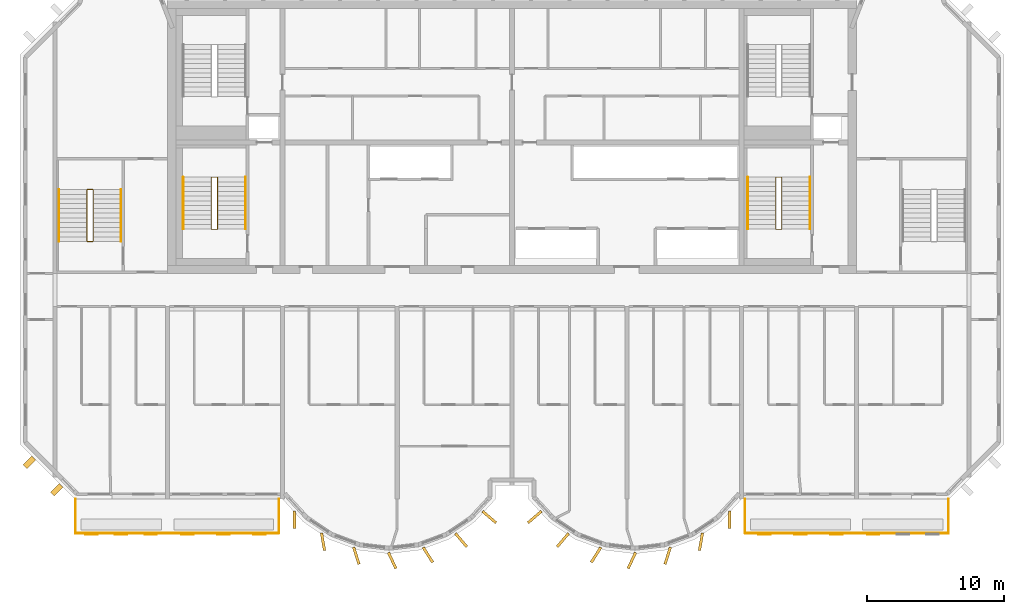
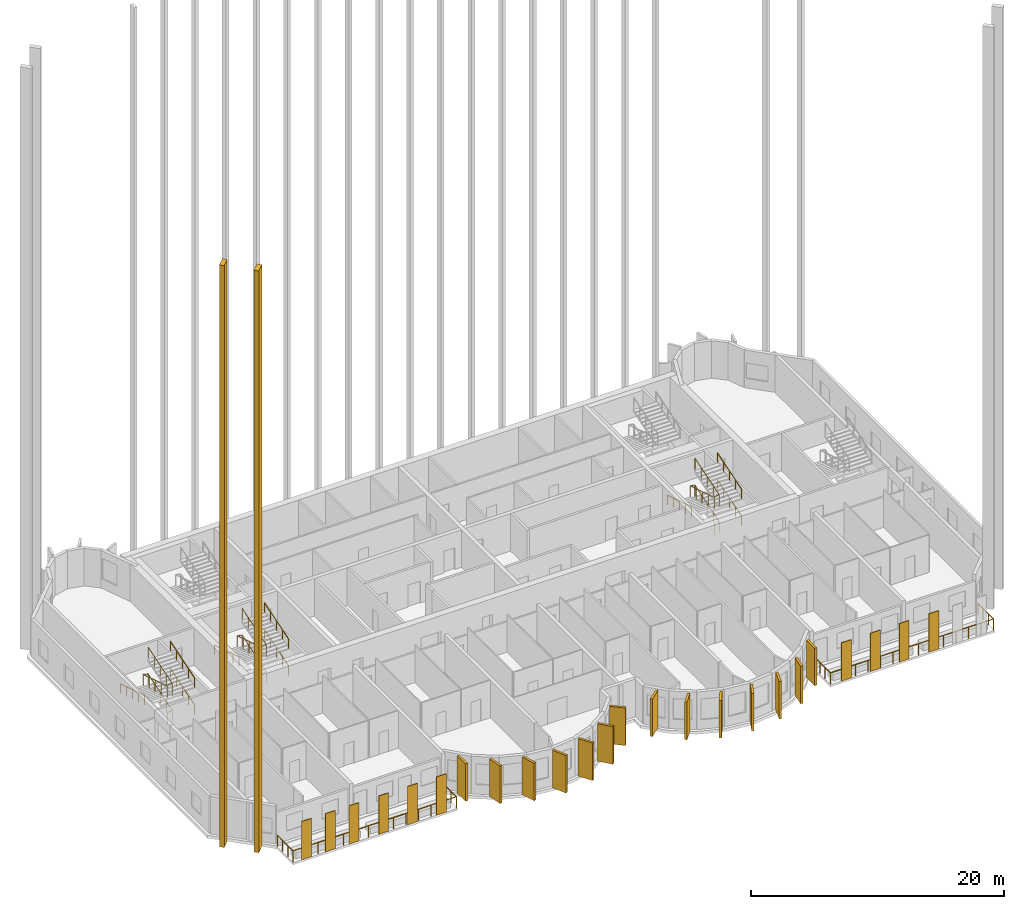
# One storey, part 10 of 13: 26 coverings, 14 railings.
"""IFC4 building model written with IfcOpenShell, lengths in metres."""

from ifc_helpers import new_model, si_unit, direction, frame, origin, origin_2d, place, context, subcontext, project, spatial, rectangle, circle, extrude, source, transform, mapped, material, layer, layer_set, material_profile, profile_set, type_object, element, save


model = new_model("IFC4")

# Units and contexts
model_context = context("Model", 3, precision=1e-05, world=origin(), true_north=direction((0.0, 1.0)))
body_context = subcontext(model_context, "Body", "Model", "MODEL_VIEW")
ifc_project = project(units=[si_unit("LENGTHUNIT", "METRE"), si_unit("AREAUNIT", "SQUARE_METRE"), si_unit("VOLUMEUNIT", "CUBIC_METRE"), si_unit("PLANEANGLEUNIT", "RADIAN"), si_unit("MASSUNIT", "GRAM", prefix="KILO")], contexts=[model_context])

# Site, building, storey
site_placement = place(None, origin())
site = spatial("IfcSite", under=ifc_project, at=site_placement, CompositionType="ELEMENT")
building_placement = place(site_placement, origin())
building = spatial("IfcBuilding", under=site, at=building_placement, Name="Vanashikhar Sky Hotel", CompositionType="ELEMENT")
storey_placement = place(building_placement, frame((0.0, 0.0, 214.0)))
storey = spatial("IfcBuildingStorey", under=building, at=storey_placement, Name="L51", CompositionType="ELEMENT", Elevation=214.0)

# Railings
ifc_material_1 = material(Name="Stainless steel 316", Category="steel")
railing_type_1 = type_object("IfcRailingType", Name="Balcony guard 1100", PredefinedType="GUARDRAIL", material=ifc_material_1)
shared_shape_1 = source(origin(), body_context, "Body", "SweptSolid", [
    extrude(circle(Radius=0.02392578125, at=origin_2d()), frame((0.0, 0.0, 1.076171875), z_axis=(0.0, -1.0, 0.0), x_axis=(1.0, 0.0, 0.0)), (0.0, 0.0, 1.0), 2.5),
    extrude(circle(Radius=0.02392578125, at=origin_2d()), frame((0.0, -2.5, 1.076171875), z_axis=(1.0, 0.0, 0.0), x_axis=(0.0, 1.0, 0.0)), (0.0, 0.0, 1.0), 14.880126953125),
    extrude(circle(Radius=0.02392578125, at=origin_2d()), frame((14.880126953125, -2.5, 1.076171875), z_axis=(0.0, 1.0, 0.0), x_axis=(-1.0, 0.0, 0.0)), (0.0, 0.0, 1.0), 2.5),
    extrude(circle(Radius=0.02099609375, at=origin_2d()), origin(), (0.0, 0.0, 1.0), 1.052001953125),
    extrude(circle(Radius=0.02099609375, at=origin_2d()), frame((0.0, -0.833251953125, 0.0)), (0.0, 0.0, 1.0), 1.052001953125),
    extrude(circle(Radius=0.02099609375, at=origin_2d()), frame((0.0, -1.666748046875, 0.0)), (0.0, 0.0, 1.0), 1.052001953125),
    extrude(circle(Radius=0.02099609375, at=origin_2d()), frame((0.0, -2.5, 0.0)), (0.0, 0.0, 1.0), 1.052001953125),
    extrude(circle(Radius=0.02099609375, at=origin_2d()), frame((1.14453125, -2.5, 0.0)), (0.0, 0.0, 1.0), 1.052001953125),
    extrude(circle(Radius=0.02099609375, at=origin_2d()), frame((2.289306640625, -2.5, 0.0)), (0.0, 0.0, 1.0), 1.052001953125),
    extrude(circle(Radius=0.02099609375, at=origin_2d()), frame((3.433837890625, -2.5, 0.0)), (0.0, 0.0, 1.0), 1.052001953125),
    extrude(circle(Radius=0.02099609375, at=origin_2d()), frame((4.57861328125, -2.5, 0.0)), (0.0, 0.0, 1.0), 1.052001953125),
    extrude(circle(Radius=0.02099609375, at=origin_2d()), frame((5.72314453125, -2.5, 0.0)), (0.0, 0.0, 1.0), 1.052001953125),
    extrude(circle(Radius=0.02099609375, at=origin_2d()), frame((6.86767578125, -2.5, 0.0)), (0.0, 0.0, 1.0), 1.052001953125),
    extrude(circle(Radius=0.02099609375, at=origin_2d()), frame((8.012451171875, -2.5, 0.0)), (0.0, 0.0, 1.0), 1.052001953125),
    extrude(circle(Radius=0.02099609375, at=origin_2d()), frame((9.156982421875, -2.5, 0.0)), (0.0, 0.0, 1.0), 1.052001953125),
    extrude(circle(Radius=0.02099609375, at=origin_2d()), frame((10.301513671875, -2.5, 0.0)), (0.0, 0.0, 1.0), 1.052001953125),
    extrude(circle(Radius=0.02099609375, at=origin_2d()), frame((11.4462890625, -2.5, 0.0)), (0.0, 0.0, 1.0), 1.052001953125),
    extrude(circle(Radius=0.02099609375, at=origin_2d()), frame((12.5908203125, -2.5, 0.0)), (0.0, 0.0, 1.0), 1.052001953125),
    extrude(circle(Radius=0.02099609375, at=origin_2d()), frame((13.735595703125, -2.5, 0.0)), (0.0, 0.0, 1.0), 1.052001953125),
    extrude(circle(Radius=0.02099609375, at=origin_2d()), frame((14.880126953125, -2.5, 0.0)), (0.0, 0.0, 1.0), 1.052001953125),
    extrude(circle(Radius=0.02099609375, at=origin_2d()), frame((14.880126953125, -1.666748046875, 0.0)), (0.0, 0.0, 1.0), 1.052001953125),
    extrude(circle(Radius=0.02099609375, at=origin_2d()), frame((14.880126953125, -0.833251953125, 0.0)), (0.0, 0.0, 1.0), 1.052001953125),
    extrude(circle(Radius=0.02099609375, at=origin_2d()), frame((14.880126953125, 0.0, 0.0)), (0.0, 0.0, 1.0), 1.052001953125),
])
for number, where, name in (
    (1, (18.4599609375, 5.5, -0.050048828125), "Balcony guard"),
    (2, (67.4599609375, 5.5, -0.050048828125), "Balcony guard"),
):
    element("IfcRailing", number, at=place(storey_placement, frame(where)), inside=storey, type_object=railing_type_1, Name=name, PredefinedType="GUARDRAIL", context=body_context, shape_type="MappedRepresentation", body=[
        mapped(shared_shape_1, transform((0.0, 0.0, 0.0), scale=1.0)),
    ])

# Coverings
ifc_material_2 = material(Name="Terracotta", Category="masonry")
ifc_layer = layer(ifc_material_2, 0.06005859375)
ifc_layer_set = layer_set([ifc_layer], Name="Terracotta baguette screen")
covering_type_1 = type_object("IfcCoveringType", Name="Terracotta baguette screen", PredefinedType="CLADDING", material=ifc_layer_set)
shared_shape_2 = source(origin(), body_context, "Body", "SweptSolid", [
    extrude(rectangle(XDim=0.89990234375, YDim=0.06005859375, at=origin_2d()), origin(), (0.0, 0.0, 1.0), 3.699951171875),
])
for number, where, z_axis, x_axis, name in (
    (3, (19.63330078125, 2.929931640625, -0.0498046875), (0.0, 0.0, 1.0), (1.0, 0.0, 0.0), "Terracotta screen"),
    (4, (21.800048828125, 2.929931640625, -0.0498046875), (0.0, 0.0, 1.0), (1.0, 0.0, 0.0), "Terracotta screen"),
    (5, (23.966796875, 2.929931640625, -0.0498046875), (0.0, 0.0, 1.0), (1.0, 0.0, 0.0), "Terracotta screen"),
    (6, (26.666748046875, 2.929931640625, -0.0498046875), (0.0, 0.0, 1.0), (1.0, 0.0, 0.0), "Terracotta screen"),
    (7, (29.300048828125, 2.929931640625, -0.0498046875), (0.0, 0.0, 1.0), (1.0, 0.0, 0.0), "Terracotta screen"),
    (8, (31.933349609375, 2.929931640625, -0.0498046875), (0.0, 0.0, 1.0), (1.0, 0.0, 0.0), "Terracotta screen"),
    (9, (68.86669921875, 2.929931640625, -0.0498046875), (0.0, 0.0, 1.0), (1.0, 0.0, 0.0), "Terracotta screen"),
    (10, (71.5, 2.929931640625, -0.0498046875), (0.0, 0.0, 1.0), (1.0, 0.0, 0.0), "Terracotta screen"),
    (11, (74.13330078125, 2.929931640625, -0.0498046875), (0.0, 0.0, 1.0), (1.0, 0.0, 0.0), "Terracotta screen"),
    (12, (76.833251953125, 2.929931640625, -0.0498046875), (0.0, 0.0, 1.0), (1.0, 0.0, 0.0), "Terracotta screen"),
):
    element("IfcCovering", number, at=place(storey_placement, frame(where, z_axis=z_axis, x_axis=x_axis)), inside=storey, type_object=covering_type_1, Name=name, PredefinedType="CLADDING", context=body_context, shape_type="MappedRepresentation", body=[
        mapped(shared_shape_2, transform((0.0, 0.0, 0.0), scale=1.0)),
    ])
ifc_material_3 = material(Name="Concrete M60 dark", Category="concrete")
ifc_material_profile_1 = material_profile(ifc_material_3, rectangle(XDim=1.300048828125, YDim=0.199951171875, at=origin_2d()))
ifc_profile_set_1 = profile_set([ifc_material_profile_1], Name="Fin 1300 x 200")
covering_type_2 = type_object("IfcCoveringType", Name="Fin 1300 x 200", PredefinedType="CLADDING", material=ifc_profile_set_1)
shared_shape_3 = source(origin(), body_context, "Body", "SweptSolid", [
    extrude(rectangle(XDim=1.300048828125, YDim=0.199951171875, at=origin_2d()), origin(), (0.0, 0.0, 1.0), 3.6201171875),
])
for number, where, z_axis, x_axis, name in (
    (13, (34.482421875, 3.992919921875, 0.0), (0.0, 0.0, 1.0), (0.011588726826, -0.999932848451, 0.0), "Fin F1-1"),
    (14, (36.572509765625, 2.3779296875, 0.0), (0.0, 0.0, 1.0), (0.16989991575, -0.985461322746, 0.0), "Fin F1-2"),
    (15, (39.00830078125, 1.35693359375, 0.0), (0.0, 0.0, 1.0), (0.303966551867, -0.952682704444, 0.0), "Fin F1-3"),
    (16, (41.63232421875, 1.00146484375, 0.0), (0.0, 0.0, 1.0), (0.422618261741, -0.906307787037, 0.0), "Fin F1-4"),
    (17, (44.251953125, 1.416015625, 0.0), (0.0, 0.0, 1.0), (0.534411358496, -0.845224526331, 0.0), "Fin F1-5"),
    (18, (46.676025390625, 2.5, 0.0), (0.0, 0.0, 1.0), (0.645697609467, -0.763593214433, 0.0), "Fin F1-6"),
    (19, (48.7412109375, 4.1845703125, 0.0), (0.0, 0.0, 1.0), (0.758543912032, -0.65162192529, 0.0), "Fin F1-7"),
    (20, (52.058837890625, 4.1845703125, 0.0), (0.0, 0.0, 1.0), (-0.758543912032, -0.65162192529, 0.0), "Fin F2-1"),
    (21, (54.123779296875, 2.5, 0.0), (0.0, 0.0, 1.0), (-0.645697609467, -0.763593214433, 0.0), "Fin F2-2"),
    (22, (56.547119140625, 1.416015625, 0.0), (0.0, 0.0, 1.0), (-0.534411358496, -0.845224526331, 0.0), "Fin F2-3"),
    (23, (59.16748046875, 1.00146484375, 0.0), (0.0, 0.0, 1.0), (-0.422618261741, -0.906307787037, 0.0), "Fin F2-4"),
    (24, (61.790771484375, 1.35693359375, 0.0), (0.0, 0.0, 1.0), (-0.303966551867, -0.952682704444, 0.0), "Fin F2-5"),
    (25, (64.2275390625, 2.3779296875, 0.0), (0.0, 0.0, 1.0), (-0.16989991575, -0.985461322746, 0.0), "Fin F2-6"),
    (26, (66.317626953125, 3.992919921875, 0.0), (0.0, 0.0, 1.0), (-0.011588726826, -0.999932848451, 0.0), "Fin F2-7"),
):
    element("IfcCovering", number, at=place(storey_placement, frame(where, z_axis=z_axis, x_axis=x_axis)), inside=storey, type_object=covering_type_2, Name=name, PredefinedType="CLADDING", context=body_context, shape_type="MappedRepresentation", body=[
        mapped(shared_shape_3, transform((0.0, 0.0, 0.0), scale=1.0)),
    ])
ifc_material_profile_2 = material_profile(ifc_material_3, rectangle(XDim=0.89990234375, YDim=0.39990234375, at=origin_2d()))
ifc_profile_set_2 = profile_set([ifc_material_profile_2], Name="Chamfer fin 900 x 400")
covering_type_3 = type_object("IfcCoveringType", Name="Chamfer fin 900 x 400", PredefinedType="CLADDING", material=ifc_profile_set_2)
shared_shape_4 = source(origin(), body_context, "Body", "SweptSolid", [
    extrude(rectangle(XDim=0.89990234375, YDim=0.39990234375, at=origin_2d()), origin(), (0.0, 0.0, 1.0), 56.10009765625),
])
for number, where, z_axis, x_axis, name in (
    (27, (15.081787109375, 8.181884765625, -0.280029296875), (0.0, 0.0, 1.0), (-0.707106781187, -0.707106781187, 0.0), "Chamfer fin"),
    (28, (17.081787109375, 6.181884765625, -0.280029296875), (0.0, 0.0, 1.0), (-0.707106781187, -0.707106781187, 0.0), "Chamfer fin"),
):
    element("IfcCovering", number, at=place(storey_placement, frame(where, z_axis=z_axis, x_axis=x_axis)), inside=storey, type_object=covering_type_3, Name=name, PredefinedType="CLADDING", context=body_context, shape_type="MappedRepresentation", body=[
        mapped(shared_shape_4, transform((0.0, 0.0, 0.0), scale=1.0)),
    ])

# Railings
ifc_material_4 = material(Name="Steel S355", Category="steel")
railing_type_2 = type_object("IfcRailingType", Name="Stair guard 1100", PredefinedType="GUARDRAIL", material=ifc_material_4)
shared_shape_5 = source(origin(), body_context, "Body", "SweptSolid", [
    extrude(circle(Radius=0.02392578125, at=origin_2d()), frame((0.0, 0.0, 1.076171875), z_axis=(0.972214749574, 0.0, 0.234090753151), x_axis=(0.0, 1.0, 0.0)), (0.0, 0.0, 1.0), 0.463134765625),
    extrude(circle(Radius=0.02392578125, at=origin_2d()), frame((0.4501953125, 0.0, 1.1845703125), z_axis=(0.0, 0.95418390146, 0.299220791714), x_axis=(-1.0, 0.0, 0.0)), (0.0, 0.0, 1.0), 3.982421875),
    extrude(circle(Radius=0.02392578125, at=origin_2d()), frame((0.4501953125, 3.800048828125, 2.3759765625), z_axis=(-0.972214749574, 0.0, 0.234090753151), x_axis=(0.0, -1.0, 0.0)), (0.0, 0.0, 1.0), 0.463134765625),
    extrude(circle(Radius=0.02392578125, at=origin_2d()), frame((0.0, 3.800048828125, 2.484375), z_axis=(0.0, -0.95418390146, 0.299220791714), x_axis=(1.0, 0.0, 0.0)), (0.0, 0.0, 1.0), 3.982421875),
    extrude(circle(Radius=0.02392578125, at=origin_2d()), frame((0.0, 0.0, 3.67626953125), z_axis=(0.972334627364, 0.0, 0.233592320999), x_axis=(0.0, 1.0, 0.0)), (0.0, 0.0, 1.0), 0.462890625),
    extrude(circle(Radius=0.02392578125, at=origin_2d()), frame((0.4501953125, 0.0, 3.7841796875), z_axis=(0.0, 0.95418390146, 0.299220791714), x_axis=(-1.0, 0.0, 0.0)), (0.0, 0.0, 1.0), 3.982421875),
    extrude(circle(Radius=0.02099609375, at=origin_2d()), origin(), (0.0, 0.0, 1.0), 1.052001953125),
    extrude(circle(Radius=0.02099609375, at=origin_2d()), frame((0.4501953125, 0.0, 0.1083984375)), (0.0, 0.0, 1.0), 1.052001953125),
    extrude(circle(Radius=0.02099609375, at=origin_2d()), frame((0.4501953125, 0.949951171875, 0.40625)), (0.0, 0.0, 1.0), 1.052001953125),
    extrude(circle(Radius=0.02099609375, at=origin_2d()), frame((0.4501953125, 1.89990234375, 0.7041015625)), (0.0, 0.0, 1.0), 1.052001953125),
    extrude(circle(Radius=0.02099609375, at=origin_2d()), frame((0.4501953125, 2.85009765625, 1.002197265625)), (0.0, 0.0, 1.0), 1.052001953125),
    extrude(circle(Radius=0.02099609375, at=origin_2d()), frame((0.4501953125, 3.800048828125, 1.300048828125)), (0.0, 0.0, 1.0), 1.052001953125),
    extrude(circle(Radius=0.02099609375, at=origin_2d()), frame((0.0, 3.800048828125, 1.408447265625)), (0.0, 0.0, 1.0), 1.052001953125),
    extrude(circle(Radius=0.02099609375, at=origin_2d()), frame((0.0, 2.85009765625, 1.706298828125)), (0.0, 0.0, 1.0), 1.052001953125),
    extrude(circle(Radius=0.02099609375, at=origin_2d()), frame((0.0, 1.89990234375, 2.00439453125)), (0.0, 0.0, 1.0), 1.052001953125),
    extrude(circle(Radius=0.02099609375, at=origin_2d()), frame((0.0, 0.949951171875, 2.30224609375)), (0.0, 0.0, 1.0), 1.052001953125),
    extrude(circle(Radius=0.02099609375, at=origin_2d()), frame((0.0, 0.0, 2.60009765625)), (0.0, 0.0, 1.0), 1.052001953125),
    extrude(circle(Radius=0.02099609375, at=origin_2d()), frame((0.4501953125, 0.0, 2.708251953125)), (0.0, 0.0, 1.0), 1.052001953125),
    extrude(circle(Radius=0.02099609375, at=origin_2d()), frame((0.4501953125, 0.949951171875, 3.006103515625)), (0.0, 0.0, 1.0), 1.052001953125),
    extrude(circle(Radius=0.02099609375, at=origin_2d()), frame((0.4501953125, 1.89990234375, 3.30419921875)), (0.0, 0.0, 1.0), 1.052001953125),
    extrude(circle(Radius=0.02099609375, at=origin_2d()), frame((0.4501953125, 2.85009765625, 3.60205078125)), (0.0, 0.0, 1.0), 1.052001953125),
    extrude(circle(Radius=0.02099609375, at=origin_2d()), frame((0.4501953125, 3.800048828125, 3.89990234375)), (0.0, 0.0, 1.0), 1.052001953125),
])
railing_1_placement = place(storey_placement, frame((28.39990234375, 25.25, 0.0)))
element("IfcRailing", 29, at=railing_1_placement, inside=storey, type_object=railing_type_2, Name="Exit stair 1 guard", PredefinedType="GUARDRAIL", context=body_context, shape_type="MappedRepresentation", body=[
    mapped(shared_shape_5, transform((0.0, 0.0, 0.0), scale=1.0)),
])
railing_type_3 = type_object("IfcRailingType", Name="Stair handrail 900", PredefinedType="HANDRAIL", material=ifc_material_4)
shared_shape_6 = source(origin(), body_context, "Body", "SweptSolid", [
    extrude(circle(Radius=0.02392578125, at=origin_2d()), frame((0.0, 0.0, 0.8759765625), z_axis=(0.0, 0.95418390146, 0.299220791714), x_axis=(-1.0, 0.0, 0.0)), (0.0, 0.0, 1.0), 3.982421875),
    extrude(circle(Radius=0.02099609375, at=origin_2d()), origin(), (0.0, 0.0, 1.0), 0.851806640625),
    extrude(circle(Radius=0.02099609375, at=origin_2d()), frame((0.0, 0.949951171875, 0.2978515625)), (0.0, 0.0, 1.0), 0.851806640625),
    extrude(circle(Radius=0.02099609375, at=origin_2d()), frame((0.0, 1.89990234375, 0.595703125)), (0.0, 0.0, 1.0), 0.851806640625),
    extrude(circle(Radius=0.02099609375, at=origin_2d()), frame((0.0, 2.85009765625, 0.893798828125)), (0.0, 0.0, 1.0), 0.851806640625),
    extrude(circle(Radius=0.02099609375, at=origin_2d()), frame((0.0, 3.800048828125, 1.191650390625)), (0.0, 0.0, 1.0), 0.851806640625),
])
for number, where, name in (
    (30, (30.89990234375, 25.25, 0.1083984375), "Exit stair 1 handrail"),
    (31, (30.89990234375, 25.25, 2.708251953125), "Exit stair 1 handrail"),
    (32, (72.199951171875, 25.25, 0.1083984375), "Exit stair 2 handrail"),
    (33, (72.199951171875, 25.25, 2.708251953125), "Exit stair 2 handrail"),
):
    element("IfcRailing", number, at=place(storey_placement, frame(where)), inside=storey, type_object=railing_type_3, Name=name, PredefinedType="HANDRAIL", context=body_context, shape_type="MappedRepresentation", body=[
        mapped(shared_shape_6, transform((0.0, 0.0, 0.0), scale=1.0)),
    ])
shared_shape_7 = source(origin(), body_context, "Body", "SweptSolid", [
    extrude(circle(Radius=0.02392578125, at=origin_2d()), frame((0.0, 0.0, 0.8759765625), z_axis=(0.0, -0.95418390146, 0.299220791714), x_axis=(1.0, 0.0, 0.0)), (0.0, 0.0, 1.0), 3.982421875),
    extrude(circle(Radius=0.02099609375, at=origin_2d()), origin(), (0.0, 0.0, 1.0), 0.851806640625),
    extrude(circle(Radius=0.02099609375, at=origin_2d()), frame((0.0, -0.949951171875, 0.2978515625)), (0.0, 0.0, 1.0), 0.851806640625),
    extrude(circle(Radius=0.02099609375, at=origin_2d()), frame((0.0, -1.89990234375, 0.595703125)), (0.0, 0.0, 1.0), 0.851806640625),
    extrude(circle(Radius=0.02099609375, at=origin_2d()), frame((0.0, -2.85009765625, 0.893798828125)), (0.0, 0.0, 1.0), 0.851806640625),
    extrude(circle(Radius=0.02099609375, at=origin_2d()), frame((0.0, -3.800048828125, 1.191650390625)), (0.0, 0.0, 1.0), 0.851806640625),
])
for number, where, name in (
    (34, (26.35009765625, 29.050048828125, 1.408447265625), "Exit stair 1 handrail"),
    (35, (67.64990234375, 29.050048828125, 1.408447265625), "Exit stair 2 handrail"),
):
    element("IfcRailing", number, at=place(storey_placement, frame(where)), inside=storey, type_object=railing_type_3, Name=name, PredefinedType="HANDRAIL", context=body_context, shape_type="MappedRepresentation", body=[
        mapped(shared_shape_7, transform((0.0, 0.0, 0.0), scale=1.0)),
    ])
shared_shape_8 = source(origin(), body_context, "Body", "SweptSolid", [
    extrude(circle(Radius=0.02392578125, at=origin_2d()), frame((0.0, 0.0, 1.076171875), z_axis=(0.972185835864, 0.0, 0.234210803648), x_axis=(0.0, 1.0, 0.0)), (0.0, 0.0, 1.0), 0.462890625),
    extrude(circle(Radius=0.02392578125, at=origin_2d()), frame((0.449951171875, 0.0, 1.1845703125), z_axis=(0.0, 0.95418390146, 0.299220791714), x_axis=(-1.0, 0.0, 0.0)), (0.0, 0.0, 1.0), 3.982421875),
    extrude(circle(Radius=0.02392578125, at=origin_2d()), frame((0.449951171875, 3.800048828125, 2.3759765625), z_axis=(-0.972185835864, 0.0, 0.234210803648), x_axis=(0.0, -1.0, 0.0)), (0.0, 0.0, 1.0), 0.462890625),
    extrude(circle(Radius=0.02392578125, at=origin_2d()), frame((0.0, 3.800048828125, 2.484375), z_axis=(0.0, -0.95418390146, 0.299220791714), x_axis=(1.0, 0.0, 0.0)), (0.0, 0.0, 1.0), 3.982421875),
    extrude(circle(Radius=0.02392578125, at=origin_2d()), frame((0.0, 0.0, 3.67626953125), z_axis=(0.972305833095, 0.0, 0.233712145448), x_axis=(0.0, 1.0, 0.0)), (0.0, 0.0, 1.0), 0.462646484375),
    extrude(circle(Radius=0.02392578125, at=origin_2d()), frame((0.449951171875, 0.0, 3.7841796875), z_axis=(0.0, 0.95418390146, 0.299220791714), x_axis=(-1.0, 0.0, 0.0)), (0.0, 0.0, 1.0), 3.982421875),
    extrude(circle(Radius=0.02099609375, at=origin_2d()), origin(), (0.0, 0.0, 1.0), 1.052001953125),
    extrude(circle(Radius=0.02099609375, at=origin_2d()), frame((0.449951171875, 0.0, 0.1083984375)), (0.0, 0.0, 1.0), 1.052001953125),
    extrude(circle(Radius=0.02099609375, at=origin_2d()), frame((0.449951171875, 0.949951171875, 0.40625)), (0.0, 0.0, 1.0), 1.052001953125),
    extrude(circle(Radius=0.02099609375, at=origin_2d()), frame((0.449951171875, 1.89990234375, 0.7041015625)), (0.0, 0.0, 1.0), 1.052001953125),
    extrude(circle(Radius=0.02099609375, at=origin_2d()), frame((0.449951171875, 2.85009765625, 1.002197265625)), (0.0, 0.0, 1.0), 1.052001953125),
    extrude(circle(Radius=0.02099609375, at=origin_2d()), frame((0.449951171875, 3.800048828125, 1.300048828125)), (0.0, 0.0, 1.0), 1.052001953125),
    extrude(circle(Radius=0.02099609375, at=origin_2d()), frame((0.0, 3.800048828125, 1.408447265625)), (0.0, 0.0, 1.0), 1.052001953125),
    extrude(circle(Radius=0.02099609375, at=origin_2d()), frame((0.0, 2.85009765625, 1.706298828125)), (0.0, 0.0, 1.0), 1.052001953125),
    extrude(circle(Radius=0.02099609375, at=origin_2d()), frame((0.0, 1.89990234375, 2.00439453125)), (0.0, 0.0, 1.0), 1.052001953125),
    extrude(circle(Radius=0.02099609375, at=origin_2d()), frame((0.0, 0.949951171875, 2.30224609375)), (0.0, 0.0, 1.0), 1.052001953125),
    extrude(circle(Radius=0.02099609375, at=origin_2d()), frame((0.0, 0.0, 2.60009765625)), (0.0, 0.0, 1.0), 1.052001953125),
    extrude(circle(Radius=0.02099609375, at=origin_2d()), frame((0.449951171875, 0.0, 2.708251953125)), (0.0, 0.0, 1.0), 1.052001953125),
    extrude(circle(Radius=0.02099609375, at=origin_2d()), frame((0.449951171875, 0.949951171875, 3.006103515625)), (0.0, 0.0, 1.0), 1.052001953125),
    extrude(circle(Radius=0.02099609375, at=origin_2d()), frame((0.449951171875, 1.89990234375, 3.30419921875)), (0.0, 0.0, 1.0), 1.052001953125),
    extrude(circle(Radius=0.02099609375, at=origin_2d()), frame((0.449951171875, 2.85009765625, 3.60205078125)), (0.0, 0.0, 1.0), 1.052001953125),
    extrude(circle(Radius=0.02099609375, at=origin_2d()), frame((0.449951171875, 3.800048828125, 3.89990234375)), (0.0, 0.0, 1.0), 1.052001953125),
])
railing_2_placement = place(storey_placement, frame((69.699951171875, 25.25, 0.0)))
element("IfcRailing", 36, at=railing_2_placement, inside=storey, type_object=railing_type_2, Name="Exit stair 2 guard", PredefinedType="GUARDRAIL", context=body_context, shape_type="MappedRepresentation", body=[
    mapped(shared_shape_8, transform((0.0, 0.0, 0.0), scale=1.0)),
])
shared_shape_9 = source(origin(), body_context, "Body", "SweptSolid", [
    extrude(circle(Radius=0.02392578125, at=origin_2d()), frame((0.0, 0.0, 1.076171875), z_axis=(0.972185835864, 0.0, 0.234210803648), x_axis=(0.0, 1.0, 0.0)), (0.0, 0.0, 1.0), 0.462890625),
    extrude(circle(Radius=0.02392578125, at=origin_2d()), frame((0.449951171875, 0.0, 1.1845703125), z_axis=(0.0, 0.954178412317, 0.299238295459), x_axis=(-1.0, 0.0, 0.0)), (0.0, 0.0, 1.0), 3.982177734375),
    extrude(circle(Radius=0.02392578125, at=origin_2d()), frame((0.449951171875, 3.7998046875, 2.3759765625), z_axis=(-0.972185835864, 0.0, 0.234210803648), x_axis=(0.0, -1.0, 0.0)), (0.0, 0.0, 1.0), 0.462890625),
    extrude(circle(Radius=0.02392578125, at=origin_2d()), frame((0.0, 3.7998046875, 2.484375), z_axis=(0.0, -0.954178412317, 0.299238295459), x_axis=(1.0, 0.0, 0.0)), (0.0, 0.0, 1.0), 3.982177734375),
    extrude(circle(Radius=0.02392578125, at=origin_2d()), frame((0.0, 0.0, 3.67626953125), z_axis=(0.972305833095, 0.0, 0.233712145448), x_axis=(0.0, 1.0, 0.0)), (0.0, 0.0, 1.0), 0.462646484375),
    extrude(circle(Radius=0.02392578125, at=origin_2d()), frame((0.449951171875, 0.0, 3.7841796875), z_axis=(0.0, 0.954178412317, 0.299238295459), x_axis=(-1.0, 0.0, 0.0)), (0.0, 0.0, 1.0), 3.982177734375),
    extrude(circle(Radius=0.02099609375, at=origin_2d()), origin(), (0.0, 0.0, 1.0), 1.052001953125),
    extrude(circle(Radius=0.02099609375, at=origin_2d()), frame((0.449951171875, 0.0, 0.1083984375)), (0.0, 0.0, 1.0), 1.052001953125),
    extrude(circle(Radius=0.02099609375, at=origin_2d()), frame((0.449951171875, 0.949951171875, 0.40625)), (0.0, 0.0, 1.0), 1.052001953125),
    extrude(circle(Radius=0.02099609375, at=origin_2d()), frame((0.449951171875, 1.89990234375, 0.7041015625)), (0.0, 0.0, 1.0), 1.052001953125),
    extrude(circle(Radius=0.02099609375, at=origin_2d()), frame((0.449951171875, 2.849853515625, 1.002197265625)), (0.0, 0.0, 1.0), 1.052001953125),
    extrude(circle(Radius=0.02099609375, at=origin_2d()), frame((0.449951171875, 3.7998046875, 1.300048828125)), (0.0, 0.0, 1.0), 1.052001953125),
    extrude(circle(Radius=0.02099609375, at=origin_2d()), frame((0.0, 3.7998046875, 1.408447265625)), (0.0, 0.0, 1.0), 1.052001953125),
    extrude(circle(Radius=0.02099609375, at=origin_2d()), frame((0.0, 2.849853515625, 1.706298828125)), (0.0, 0.0, 1.0), 1.052001953125),
    extrude(circle(Radius=0.02099609375, at=origin_2d()), frame((0.0, 1.89990234375, 2.00439453125)), (0.0, 0.0, 1.0), 1.052001953125),
    extrude(circle(Radius=0.02099609375, at=origin_2d()), frame((0.0, 0.949951171875, 2.30224609375)), (0.0, 0.0, 1.0), 1.052001953125),
    extrude(circle(Radius=0.02099609375, at=origin_2d()), frame((0.0, 0.0, 2.60009765625)), (0.0, 0.0, 1.0), 1.052001953125),
    extrude(circle(Radius=0.02099609375, at=origin_2d()), frame((0.449951171875, 0.0, 2.708251953125)), (0.0, 0.0, 1.0), 1.052001953125),
    extrude(circle(Radius=0.02099609375, at=origin_2d()), frame((0.449951171875, 0.949951171875, 3.006103515625)), (0.0, 0.0, 1.0), 1.052001953125),
    extrude(circle(Radius=0.02099609375, at=origin_2d()), frame((0.449951171875, 1.89990234375, 3.30419921875)), (0.0, 0.0, 1.0), 1.052001953125),
    extrude(circle(Radius=0.02099609375, at=origin_2d()), frame((0.449951171875, 2.849853515625, 3.60205078125)), (0.0, 0.0, 1.0), 1.052001953125),
    extrude(circle(Radius=0.02099609375, at=origin_2d()), frame((0.449951171875, 3.7998046875, 3.89990234375)), (0.0, 0.0, 1.0), 1.052001953125),
])
railing_3_placement = place(storey_placement, frame((19.300048828125, 24.35009765625, 0.0)))
element("IfcRailing", 37, at=railing_3_placement, inside=storey, type_object=railing_type_2, Name="Exit stair 3 guard", PredefinedType="GUARDRAIL", context=body_context, shape_type="MappedRepresentation", body=[
    mapped(shared_shape_9, transform((0.0, 0.0, 0.0), scale=1.0)),
])
shared_shape_10 = source(origin(), body_context, "Body", "SweptSolid", [
    extrude(circle(Radius=0.02392578125, at=origin_2d()), frame((0.0, 0.0, 0.8759765625), z_axis=(0.0, 0.954178412317, 0.299238295459), x_axis=(-1.0, 0.0, 0.0)), (0.0, 0.0, 1.0), 3.982177734375),
    extrude(circle(Radius=0.02099609375, at=origin_2d()), origin(), (0.0, 0.0, 1.0), 0.851806640625),
    extrude(circle(Radius=0.02099609375, at=origin_2d()), frame((0.0, 0.949951171875, 0.2978515625)), (0.0, 0.0, 1.0), 0.851806640625),
    extrude(circle(Radius=0.02099609375, at=origin_2d()), frame((0.0, 1.89990234375, 0.595703125)), (0.0, 0.0, 1.0), 0.851806640625),
    extrude(circle(Radius=0.02099609375, at=origin_2d()), frame((0.0, 2.849853515625, 0.893798828125)), (0.0, 0.0, 1.0), 0.851806640625),
    extrude(circle(Radius=0.02099609375, at=origin_2d()), frame((0.0, 3.7998046875, 1.191650390625)), (0.0, 0.0, 1.0), 0.851806640625),
])
for number, where, name in (
    (38, (21.800048828125, 24.35009765625, 0.1083984375), "Exit stair 3 handrail"),
    (39, (21.800048828125, 24.35009765625, 2.708251953125), "Exit stair 3 handrail"),
):
    element("IfcRailing", number, at=place(storey_placement, frame(where)), inside=storey, type_object=railing_type_3, Name=name, PredefinedType="HANDRAIL", context=body_context, shape_type="MappedRepresentation", body=[
        mapped(shared_shape_10, transform((0.0, 0.0, 0.0), scale=1.0)),
    ])
shared_shape_11 = source(origin(), body_context, "Body", "SweptSolid", [
    extrude(circle(Radius=0.02392578125, at=origin_2d()), frame((0.0, 0.0, 0.8759765625), z_axis=(0.0, -0.954178412317, 0.299238295459), x_axis=(1.0, 0.0, 0.0)), (0.0, 0.0, 1.0), 3.982177734375),
    extrude(circle(Radius=0.02099609375, at=origin_2d()), origin(), (0.0, 0.0, 1.0), 0.851806640625),
    extrude(circle(Radius=0.02099609375, at=origin_2d()), frame((0.0, -0.949951171875, 0.2978515625)), (0.0, 0.0, 1.0), 0.851806640625),
    extrude(circle(Radius=0.02099609375, at=origin_2d()), frame((0.0, -1.89990234375, 0.595703125)), (0.0, 0.0, 1.0), 0.851806640625),
    extrude(circle(Radius=0.02099609375, at=origin_2d()), frame((0.0, -2.849853515625, 0.893798828125)), (0.0, 0.0, 1.0), 0.851806640625),
    extrude(circle(Radius=0.02099609375, at=origin_2d()), frame((0.0, -3.7998046875, 1.191650390625)), (0.0, 0.0, 1.0), 0.851806640625),
])
railing_4_placement = place(storey_placement, frame((17.25, 28.14990234375, 1.408447265625)))
element("IfcRailing", 40, at=railing_4_placement, inside=storey, type_object=railing_type_3, Name="Exit stair 3 handrail", PredefinedType="HANDRAIL", context=body_context, shape_type="MappedRepresentation", body=[
    mapped(shared_shape_11, transform((0.0, 0.0, 0.0), scale=1.0)),
])

save(model, "model.ifc")
